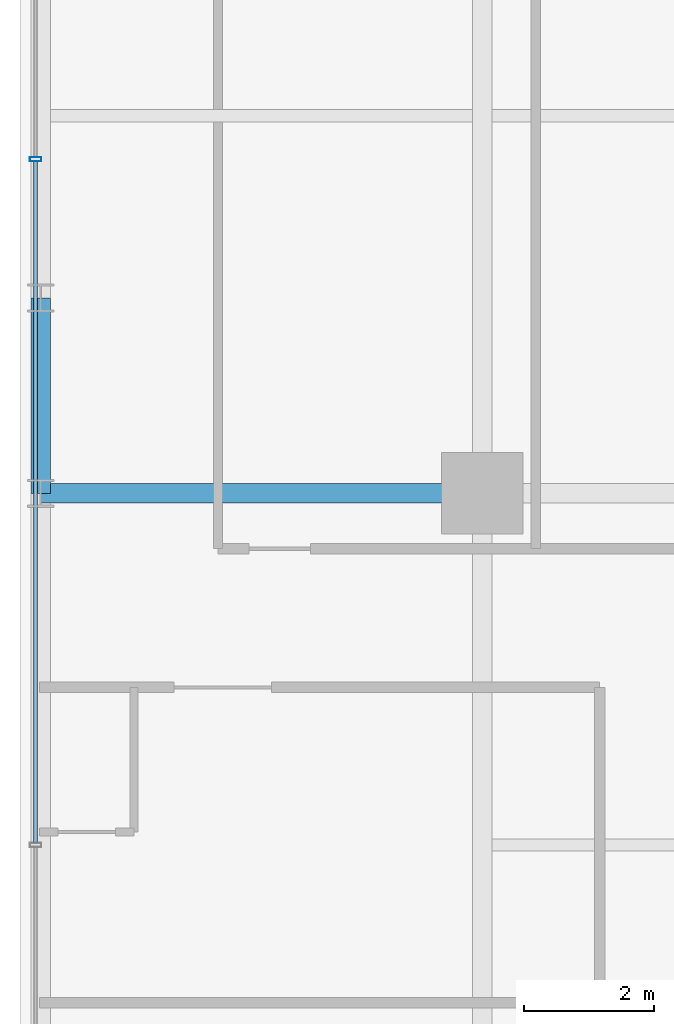
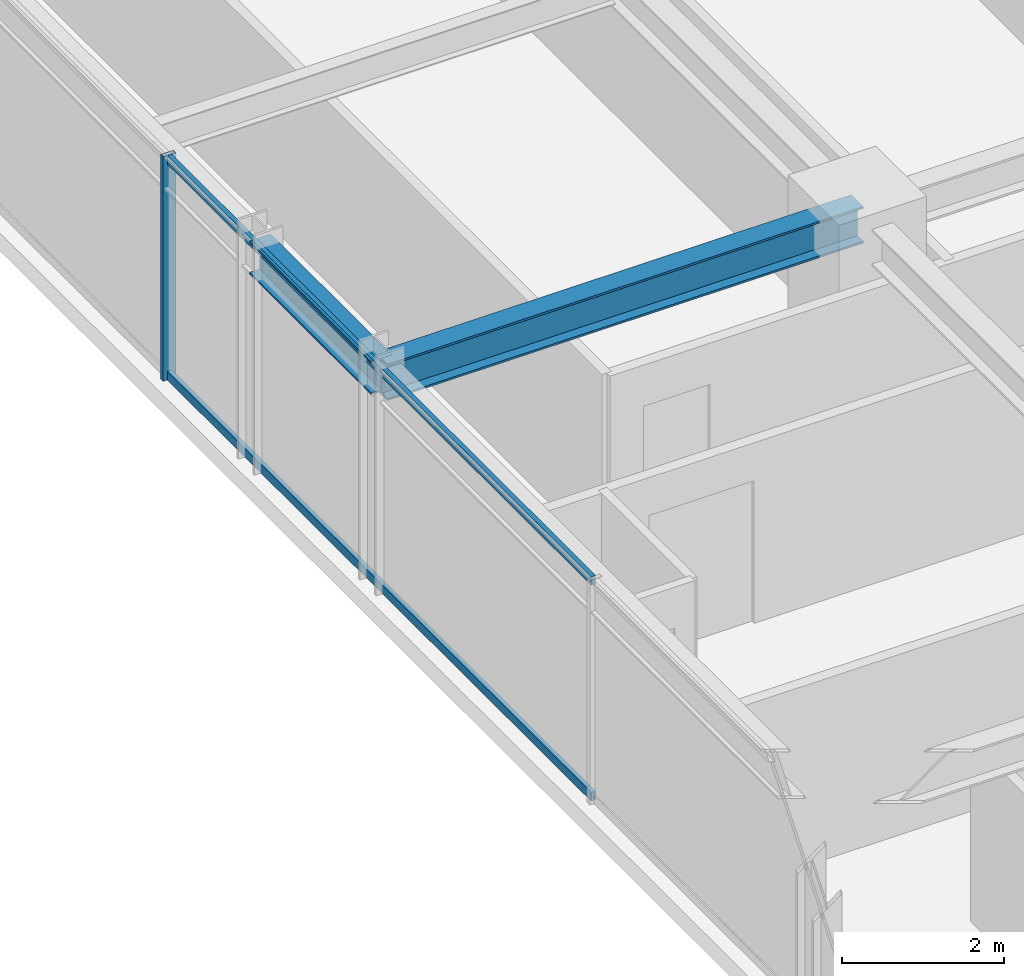
# One storey, part 16 of 32: 3 members, 2 beams, 1 element without a shape of its own.
"""IFC4 building model written with IfcOpenShell, lengths in metres."""

import ifcopenshell
import ifcopenshell.guid

model = None  # the IFC model being written
_history = None  # IfcOwnerHistory: only IFC2X3 demands one
_inside = {}  # id of a spatial element -> (the spatial element, [elements in it])
_under = {}  # id of a project, library or spatial element -> (it, [spatial elements below it])
_declared = {}  # id of a project -> (the project, [libraries it declares])
_typed = {}  # id of a type object -> (the type object, [elements of that type])
_made_of = {}  # id of a material, layer set ... -> (it, [elements and type objects made of it])


def new_model(schema):
    """Start an empty IFC model of exactly this schema.

    Asked for "IFC4X3", IfcOpenShell would pick the latest addendum, in which some entities
    have other attributes; the version numbers below select the first issue.
    IFC2X3 requires an IfcOwnerHistory on every rooted entity: one is made here for all.
    """
    global model, _history
    if schema == "IFC4X3":
        model = ifcopenshell.file(schema_version=(4, 3, 0, 0))
    else:
        model = ifcopenshell.file(schema=schema)
    _inside.clear()
    _under.clear()
    _declared.clear()
    _typed.clear()
    _made_of.clear()
    _history = None
    if model.schema == "IFC2X3":
        org = make("IfcOrganization", Name="unknown")
        user = make(
            "IfcPersonAndOrganization",
            ThePerson=make("IfcPerson", FamilyName="unknown"),
            TheOrganization=org,
        )
        app = make(
            "IfcApplication",
            ApplicationDeveloper=org,
            Version="unknown",
            ApplicationFullName="unknown",
            ApplicationIdentifier="unknown",
        )
        _history = make(
            "IfcOwnerHistory",
            OwningUser=user,
            OwningApplication=app,
            ChangeAction="ADDED",
            CreationDate=0,
        )
    return model


def make(cls, **values):
    """One entity of the class cls with the attributes given. An attribute that is None is left unset."""
    return model.create_entity(
        cls, **{name: value for name, value in values.items() if value is not None}
    )


def rooted(cls, **values):
    """An entity with a GlobalId (a new one), such as an element, a storey or a relation."""
    return make(cls, GlobalId=ifcopenshell.guid.new(), OwnerHistory=_history, **values)


def si_unit(unit_type, name, prefix=None):
    """IfcSIUnit, for example si_unit("LENGTHUNIT", "METRE", prefix="MILLI")."""
    return make("IfcSIUnit", UnitType=unit_type, Prefix=prefix, Name=name)


def assignment(units):
    """IfcUnitAssignment: the units of a project."""
    return None if units is None else make("IfcUnitAssignment", Units=units)


def point(xyz):
    """IfcCartesianPoint."""
    return None if xyz is None else make("IfcCartesianPoint", Coordinates=xyz)


def direction(xyz):
    """IfcDirection."""
    return None if xyz is None else make("IfcDirection", DirectionRatios=xyz)


def frame(location, z_axis=None, x_axis=None):
    """IfcAxis2Placement3D, a coordinate frame: its origin and axes. An axis left out is left unset."""
    return make(
        "IfcAxis2Placement3D",
        Location=point(location),
        Axis=direction(z_axis),
        RefDirection=direction(x_axis),
    )


def frame_2d(location, x_axis=None):
    """IfcAxis2Placement2D, a coordinate frame in the plane: its origin and x axis."""
    return make(
        "IfcAxis2Placement2D", Location=point(location), RefDirection=direction(x_axis)
    )


def origin():
    """The frame at (0, 0, 0) with its axes left unset."""
    return frame((0.0, 0.0, 0.0))


def origin_2d():
    """The frame at (0, 0) in the plane with its x axis left unset."""
    return frame_2d((0.0, 0.0))


def place(relative_to, where):
    """IfcLocalPlacement: puts the frame where relative to a parent placement (None: the world)."""
    return make(
        "IfcLocalPlacement", PlacementRelTo=relative_to, RelativePlacement=where
    )


def context(
    kind, dimensions, precision=None, world=None, true_north=None, identifier=None
):
    """IfcGeometricRepresentationContext, for example the 3D "Model" context."""
    return make(
        "IfcGeometricRepresentationContext",
        ContextIdentifier=identifier,
        ContextType=kind,
        CoordinateSpaceDimension=dimensions,
        Precision=precision,
        WorldCoordinateSystem=world,
        TrueNorth=true_north,
    )


def subcontext(parent, identifier, kind, view, scale=None):
    """IfcGeometricRepresentationSubContext, for example "Body" below "Model"."""
    return make(
        "IfcGeometricRepresentationSubContext",
        ContextIdentifier=identifier,
        ContextType=kind,
        ParentContext=parent,
        TargetScale=scale,
        TargetView=view,
    )


def project(units=None, contexts=None):
    """IfcProject with its units and contexts."""
    return rooted(
        "IfcProject",
        Name="project",
        RepresentationContexts=contexts,
        UnitsInContext=assignment(units),
    )


def spatial(cls, under=None, at=None, **own):
    """A site, building, storey or space (cls), placed at a placement, below another one or the project."""
    s = rooted(cls, ObjectPlacement=at, **own)
    if under is not None:
        _under.setdefault(under.id(), (under, []))[1].append(s)
    return s


def profile(cls, at=None, kind="AREA", **sizes):
    """A parametric profile (cls). Its sizes go by their IFC names, for example OverallWidth=200.0."""
    return make(cls, ProfileType=kind, Position=at, **sizes)


def hollow_rectangle(**sizes):
    """IfcRectangleHollowProfileDef."""
    return profile("IfcRectangleHollowProfileDef", **sizes)


def i_section(**sizes):
    """IfcIShapeProfileDef."""
    return profile("IfcIShapeProfileDef", **sizes)


def extrude(swept, where, along, depth):
    """IfcExtrudedAreaSolid: the profile swept, set in the frame where, extruded along a direction by depth."""
    return make(
        "IfcExtrudedAreaSolid",
        SweptArea=swept,
        Position=where,
        ExtrudedDirection=direction(along),
        Depth=depth,
    )


def shape(context_of_items, identifier, shape_type, items):
    """IfcShapeRepresentation: the items that make up one representation, for example the "Body"."""
    return make(
        "IfcShapeRepresentation",
        ContextOfItems=context_of_items,
        RepresentationIdentifier=identifier,
        RepresentationType=shape_type,
        Items=items,
    )


def source(mapping_origin, context_of_items, identifier, shape_type, items):
    """IfcRepresentationMap: a shape defined once, which mapped items show again and again."""
    return make(
        "IfcRepresentationMap",
        MappingOrigin=mapping_origin,
        MappedRepresentation=shape(context_of_items, identifier, shape_type, items),
    )


def transform(
    local_origin,
    x_axis=None,
    y_axis=None,
    z_axis=None,
    scale=None,
    scale2=None,
    scale3=None,
    uniform=True,
):
    """IfcCartesianTransformationOperator3D, or its non-uniform kind. x_axis, y_axis, z_axis: its Axis1, 2, 3."""
    if uniform:
        return make(
            "IfcCartesianTransformationOperator3D",
            Axis1=direction(x_axis),
            Axis2=direction(y_axis),
            LocalOrigin=point(local_origin),
            Scale=scale,
            Axis3=direction(z_axis),
        )
    return make(
        "IfcCartesianTransformationOperator3DnonUniform",
        Axis1=direction(x_axis),
        Axis2=direction(y_axis),
        LocalOrigin=point(local_origin),
        Scale=scale,
        Axis3=direction(z_axis),
        Scale2=scale2,
        Scale3=scale3,
    )


def mapped(mapping_source, mapping_target):
    """IfcMappedItem: shows the shape of a source again, moved by a transform."""
    return make(
        "IfcMappedItem", MappingSource=mapping_source, MappingTarget=mapping_target
    )


def material(Name=None, Category=None):
    """IfcMaterial."""
    return make("IfcMaterial", Name=Name, Category=Category)


def material_profile(
    of_material, cross_section, Name=None, Category=None, Priority=None
):
    """IfcMaterialProfile: a cross section and its material."""
    return make(
        "IfcMaterialProfile",
        Name=Name,
        Material=of_material,
        Profile=cross_section,
        Priority=Priority,
        Category=Category,
    )


def profile_set(profiles, Name=None, composite=None):
    """IfcMaterialProfileSet."""
    return make(
        "IfcMaterialProfileSet",
        Name=Name,
        MaterialProfiles=profiles,
        CompositeProfile=composite,
    )


def made_of(thing, what):
    """Note that an element or type object is made of a material, layer set ...; save() writes the relation."""
    if what is not None:
        _made_of.setdefault(what.id(), (what, []))[1].append(thing)
    return thing


def type_object(cls, material=None, **own):
    """A type object (cls), such as IfcWallType, which elements share."""
    return made_of(rooted(cls, **own), material)


def element(
    cls,
    number,
    at=None,
    inside=None,
    cuts=None,
    type_object=None,
    material=None,
    context=None,
    identifier="Body",
    shape_type=None,
    held_by="IfcProductDefinitionShape",
    body=None,
    shapes=None,
    **own,
):
    """One element of the class cls, such as IfcWall. Its Tag is "e" and its number.

    at: its placement. inside: the storey or other place that contains it. cuts: it is an
    opening in that element (IfcRelVoidsElement). A single representation is given by context,
    identifier, shape_type and body (its items); several are given by shapes. held_by: the class
    of the entity that holds the representations. save() writes the other relations.
    """
    e = rooted(cls, Tag="e%d" % number, ObjectPlacement=at, **own)
    if body is not None:
        shapes = [shape(context, identifier, shape_type, body)]
    if shapes is not None:
        e.Representation = make(held_by, Representations=shapes)
    if inside is not None:
        _inside.setdefault(inside.id(), (inside, []))[1].append(e)
    if cuts is not None:
        rooted(
            "IfcRelVoidsElement", RelatingBuildingElement=cuts, RelatedOpeningElement=e
        )
    if type_object is not None:
        _typed.setdefault(type_object.id(), (type_object, []))[1].append(e)
    return made_of(e, material)


def aggregate(whole, parts):
    """IfcRelAggregates: a whole, such as a stair, and the parts it consists of."""
    return rooted("IfcRelAggregates", RelatingObject=whole, RelatedObjects=parts)


def save(model, path):
    """Write the relations noted so far, then the file.

    IfcRelAggregates (storeys below a building ...), IfcRelContainedInSpatialStructure (elements
    in a storey), IfcRelDefinesByType, IfcRelAssociatesMaterial and IfcRelDeclares: one each for
    every whole, place, type object, material and project.
    """
    for whole, parts in _under.values():
        aggregate(whole, parts)
    for where, things in _inside.values():
        rooted(
            "IfcRelContainedInSpatialStructure",
            RelatedElements=things,
            RelatingStructure=where,
        )
    for kind, things in _typed.values():
        rooted("IfcRelDefinesByType", RelatedObjects=things, RelatingType=kind)
    for what, things in _made_of.values():
        rooted("IfcRelAssociatesMaterial", RelatedObjects=things, RelatingMaterial=what)
    for by, libraries in _declared.values():
        rooted("IfcRelDeclares", RelatingContext=by, RelatedDefinitions=libraries)
    model.write(path)


model = new_model("IFC4")

# Units and contexts
model_context = context("Model", 3, precision=1e-05, world=origin(), true_north=direction((0.0, 1.0)))
body_context = subcontext(model_context, "Body", "Model", "MODEL_VIEW")
ifc_project = project(units=[si_unit("LENGTHUNIT", "METRE"), si_unit("AREAUNIT", "SQUARE_METRE"), si_unit("VOLUMEUNIT", "CUBIC_METRE"), si_unit("PLANEANGLEUNIT", "RADIAN"), si_unit("MASSUNIT", "GRAM", prefix="KILO")], contexts=[model_context])

# Site, building, storey
site_placement = place(None, origin())
site = spatial("IfcSite", under=ifc_project, at=site_placement, CompositionType="ELEMENT")
building_placement = place(site_placement, origin())
building = spatial("IfcBuilding", under=site, at=building_placement, Name="Nahalor Promenade Grand Hotel", CompositionType="ELEMENT")
storey_placement = place(building_placement, frame((0.0, 0.0, 102.89990234375)))
storey = spatial("IfcBuildingStorey", under=building, at=storey_placement, Name="L25", CompositionType="ELEMENT", Elevation=102.89990234375)

# Beams
ifc_material_1 = material(Name="Steel S355JR", Category="steel")
ifc_material_profile_1 = material_profile(ifc_material_1, i_section(OverallWidth=0.3, OverallDepth=0.5, WebThickness=0.0145, FlangeThickness=0.028, at=origin_2d()), Name="HEB 500")
ifc_profile_set_1 = profile_set([ifc_material_profile_1], Name="Steel S355JR")
beam_type_1 = type_object("IfcBeamType", Name="Beam-Spandrel-HEB500", PredefinedType="SPANDREL", material=ifc_profile_set_1)
shared_shape_1 = source(origin(), body_context, "Body", "SweptSolid", [
    extrude(i_section(OverallWidth=0.3, OverallDepth=0.5, WebThickness=0.0145, FlangeThickness=0.028, at=origin_2d()), origin(), (0.0, 0.0, 1.0), 3.0),
])
beam_1_placement = place(storey_placement, frame((-23.780029296875, 5.39990234375, 3.130126953125), z_axis=(0.0, 1.0, 0.0), x_axis=(-1.0, 0.0, 0.0)))
element("IfcBeam", 1, at=beam_1_placement, inside=storey, type_object=beam_type_1, Name="BM-L25-SP-W-3", PredefinedType="SPANDREL", context=body_context, shape_type="MappedRepresentation", body=[
    mapped(shared_shape_1, transform((0.0, 0.0, 0.0), scale=1.0)),
])
ifc_material_profile_2 = material_profile(ifc_material_1, i_section(OverallWidth=0.3, OverallDepth=0.55, WebThickness=0.015, FlangeThickness=0.029, at=origin_2d()), Name="HEB 550")
ifc_profile_set_2 = profile_set([ifc_material_profile_2], Name="Steel S355JR")
beam_type_2 = type_object("IfcBeamType", Name="Beam-Girder-HEB550", PredefinedType="BEAM", material=ifc_profile_set_2)
shared_shape_2 = source(origin(), body_context, "Body", "SweptSolid", [
    extrude(i_section(OverallWidth=0.3, OverallDepth=0.55, WebThickness=0.015, FlangeThickness=0.029, at=origin_2d()), origin(), (0.0, 0.0, 1.0), 6.780029296875),
])
beam_2_placement = place(storey_placement, frame((-23.780029296875, 5.39990234375, 3.10498046875), z_axis=(1.0, 0.0, 0.0), x_axis=(0.0, 1.0, 0.0)))
element("IfcBeam", 2, at=beam_2_placement, inside=storey, type_object=beam_type_2, Name="BM-L25-GX-2-0", PredefinedType="BEAM", context=body_context, shape_type="MappedRepresentation", body=[
    mapped(shared_shape_2, transform((0.0, 0.0, 0.0), scale=1.0)),
])

# Curtain wall, members
ifc_material_2 = material(Name="Anodised Bronze Aluminium EN AW-6063 T6", Category="aluminium")
curtain_wall_type = type_object("IfcCurtainWallType", Name="CW2 Typical Hotel Flush Bronze Unitised Curtain Wall", PredefinedType="USERDEFINED", material=ifc_material_2)
curtain_wall_placement = place(storey_placement, origin())
curtain_wall = element("IfcCurtainWall", 3, at=curtain_wall_placement, inside=storey, type_object=curtain_wall_type, Name="L25 Curtain Wall CW-L25-W-1", ObjectType="UNITISED_CURTAIN_WALL", PredefinedType="USERDEFINED")
ifc_material_profile_3 = material_profile(ifc_material_2, hollow_rectangle(XDim=0.065, YDim=0.13, WallThickness=0.004, at=origin_2d()), Name="CWT 65x130x4")
ifc_profile_set_3 = profile_set([ifc_material_profile_3], Name="Anodised Bronze Aluminium EN AW-6063 T6")
member_type_1 = type_object("IfcMemberType", Name="CWT2 Typical Bronze Transom 65x130", PredefinedType="USERDEFINED", material=ifc_profile_set_3)
shared_shape_3 = source(origin(), body_context, "Body", "SweptSolid", [
    extrude(hollow_rectangle(XDim=0.065, YDim=0.13, WallThickness=0.004, at=origin_2d()), origin(), (0.0, 0.0, 1.0), 10.465087890625),
])
member_1_placement = place(storey_placement, frame((-23.860107421875, 0.032470703125, 0.065185546875), z_axis=(0.0, 1.0, 0.0), x_axis=(-1.0, 0.0, 0.0)))
member_1 = element("IfcMember", 4, at=member_1_placement, type_object=member_type_1, Name="CW-L25-W-1 Transom 2-0", ObjectType="TRANSOM", PredefinedType="USERDEFINED", context=body_context, shape_type="MappedRepresentation", body=[
    mapped(shared_shape_3, transform((0.0, 0.0, 0.0), scale=1.0)),
])
member_2_placement = place(storey_placement, frame((-23.860107421875, 0.032470703125, 3.315185546875), z_axis=(0.0, 1.0, 0.0), x_axis=(-1.0, 0.0, 0.0)))
member_2 = element("IfcMember", 5, at=member_2_placement, type_object=member_type_1, Name="CW-L25-W-1 Transom 2-1", ObjectType="TRANSOM", PredefinedType="USERDEFINED", context=body_context, shape_type="MappedRepresentation", body=[
    mapped(shared_shape_3, transform((0.0, 0.0, 0.0), scale=1.0)),
])
ifc_material_profile_4 = material_profile(ifc_material_2, hollow_rectangle(XDim=0.065, YDim=0.18, WallThickness=0.004, at=origin_2d()), Name="CWM 65x180x4")
ifc_profile_set_4 = profile_set([ifc_material_profile_4], Name="Anodised Bronze Aluminium EN AW-6063 T6")
member_type_2 = type_object("IfcMemberType", Name="CWM2 Typical Bronze Mullion 65x180", PredefinedType="MULLION", material=ifc_profile_set_4)
shared_shape_4 = source(origin(), body_context, "Body", "SweptSolid", [
    extrude(hollow_rectangle(XDim=0.065, YDim=0.18, WallThickness=0.004, at=origin_2d()), origin(), (0.0, 0.0, 1.0), 3.380126953125),
])
member_3_placement = place(storey_placement, frame((-23.860107421875, 10.530029296875, 0.0), z_axis=(0.0, 0.0, 1.0), x_axis=(0.0, 1.0, 0.0)))
member_3 = element("IfcMember", 6, at=member_3_placement, type_object=member_type_2, Name="CW-L25-W-1 Mullion 3", PredefinedType="MULLION", context=body_context, shape_type="MappedRepresentation", body=[
    mapped(shared_shape_4, transform((0.0, 0.0, 0.0), scale=1.0)),
])
aggregate(curtain_wall, [member_3, member_1, member_2])

save(model, "model.ifc")
